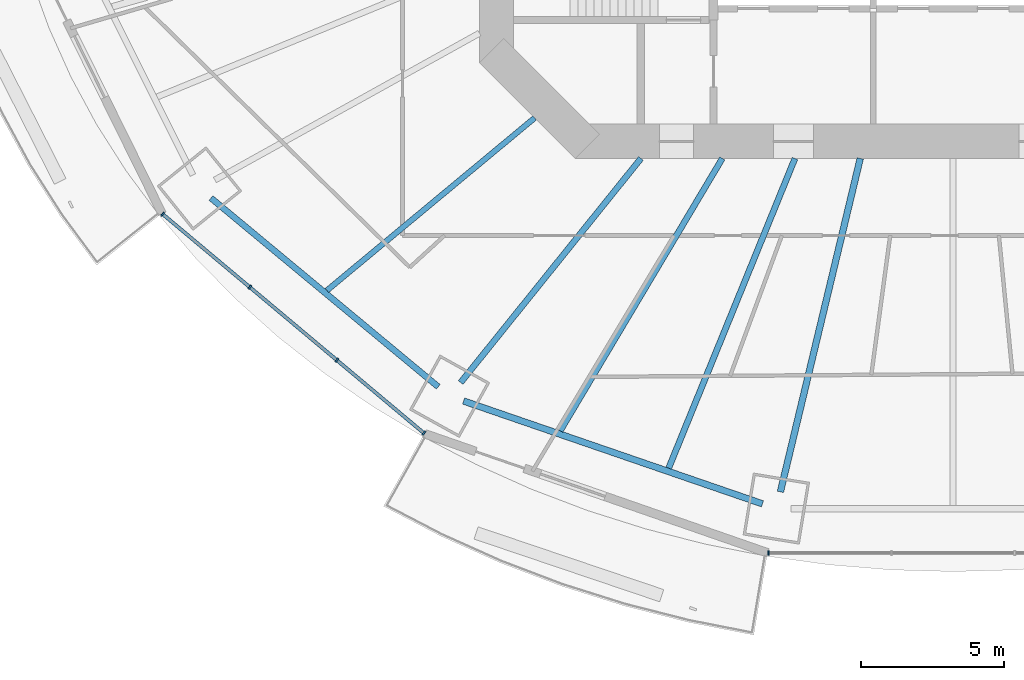
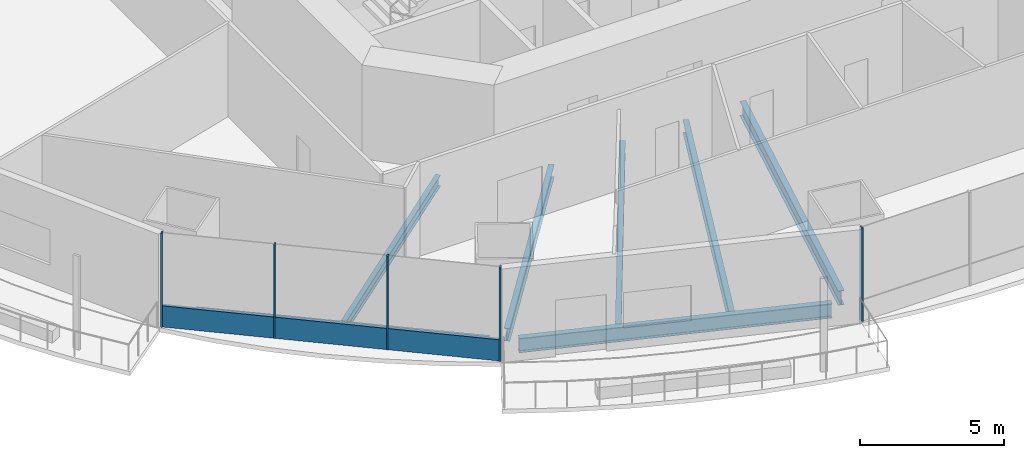
# One storey, part 2 of 20: 7 beams, 6 members, 2 elements without a shape of their own.
"""IFC4 building model written with IfcOpenShell, lengths in metres."""

import ifcopenshell
import ifcopenshell.guid

model = None  # the IFC model being written
_history = None  # IfcOwnerHistory: only IFC2X3 demands one
_inside = {}  # id of a spatial element -> (the spatial element, [elements in it])
_under = {}  # id of a project, library or spatial element -> (it, [spatial elements below it])
_declared = {}  # id of a project -> (the project, [libraries it declares])
_typed = {}  # id of a type object -> (the type object, [elements of that type])
_made_of = {}  # id of a material, layer set ... -> (it, [elements and type objects made of it])


def new_model(schema):
    """Start an empty IFC model of exactly this schema.

    Asked for "IFC4X3", IfcOpenShell would pick the latest addendum, in which some entities
    have other attributes; the version numbers below select the first issue.
    IFC2X3 requires an IfcOwnerHistory on every rooted entity: one is made here for all.
    """
    global model, _history
    if schema == "IFC4X3":
        model = ifcopenshell.file(schema_version=(4, 3, 0, 0))
    else:
        model = ifcopenshell.file(schema=schema)
    _inside.clear()
    _under.clear()
    _declared.clear()
    _typed.clear()
    _made_of.clear()
    _history = None
    if model.schema == "IFC2X3":
        org = make("IfcOrganization", Name="unknown")
        user = make(
            "IfcPersonAndOrganization",
            ThePerson=make("IfcPerson", FamilyName="unknown"),
            TheOrganization=org,
        )
        app = make(
            "IfcApplication",
            ApplicationDeveloper=org,
            Version="unknown",
            ApplicationFullName="unknown",
            ApplicationIdentifier="unknown",
        )
        _history = make(
            "IfcOwnerHistory",
            OwningUser=user,
            OwningApplication=app,
            ChangeAction="ADDED",
            CreationDate=0,
        )
    return model


def make(cls, **values):
    """One entity of the class cls with the attributes given. An attribute that is None is left unset."""
    return model.create_entity(
        cls, **{name: value for name, value in values.items() if value is not None}
    )


def rooted(cls, **values):
    """An entity with a GlobalId (a new one), such as an element, a storey or a relation."""
    return make(cls, GlobalId=ifcopenshell.guid.new(), OwnerHistory=_history, **values)


def si_unit(unit_type, name, prefix=None):
    """IfcSIUnit, for example si_unit("LENGTHUNIT", "METRE", prefix="MILLI")."""
    return make("IfcSIUnit", UnitType=unit_type, Prefix=prefix, Name=name)


def assignment(units):
    """IfcUnitAssignment: the units of a project."""
    return None if units is None else make("IfcUnitAssignment", Units=units)


def point(xyz):
    """IfcCartesianPoint."""
    return None if xyz is None else make("IfcCartesianPoint", Coordinates=xyz)


def direction(xyz):
    """IfcDirection."""
    return None if xyz is None else make("IfcDirection", DirectionRatios=xyz)


def frame(location, z_axis=None, x_axis=None):
    """IfcAxis2Placement3D, a coordinate frame: its origin and axes. An axis left out is left unset."""
    return make(
        "IfcAxis2Placement3D",
        Location=point(location),
        Axis=direction(z_axis),
        RefDirection=direction(x_axis),
    )


def frame_2d(location, x_axis=None):
    """IfcAxis2Placement2D, a coordinate frame in the plane: its origin and x axis."""
    return make(
        "IfcAxis2Placement2D", Location=point(location), RefDirection=direction(x_axis)
    )


def origin():
    """The frame at (0, 0, 0) with its axes left unset."""
    return frame((0.0, 0.0, 0.0))


def origin_2d():
    """The frame at (0, 0) in the plane with its x axis left unset."""
    return frame_2d((0.0, 0.0))


def place(relative_to, where):
    """IfcLocalPlacement: puts the frame where relative to a parent placement (None: the world)."""
    return make(
        "IfcLocalPlacement", PlacementRelTo=relative_to, RelativePlacement=where
    )


def context(
    kind, dimensions, precision=None, world=None, true_north=None, identifier=None
):
    """IfcGeometricRepresentationContext, for example the 3D "Model" context."""
    return make(
        "IfcGeometricRepresentationContext",
        ContextIdentifier=identifier,
        ContextType=kind,
        CoordinateSpaceDimension=dimensions,
        Precision=precision,
        WorldCoordinateSystem=world,
        TrueNorth=true_north,
    )


def subcontext(parent, identifier, kind, view, scale=None):
    """IfcGeometricRepresentationSubContext, for example "Body" below "Model"."""
    return make(
        "IfcGeometricRepresentationSubContext",
        ContextIdentifier=identifier,
        ContextType=kind,
        ParentContext=parent,
        TargetScale=scale,
        TargetView=view,
    )


def project(units=None, contexts=None):
    """IfcProject with its units and contexts."""
    return rooted(
        "IfcProject",
        Name="project",
        RepresentationContexts=contexts,
        UnitsInContext=assignment(units),
    )


def spatial(cls, under=None, at=None, **own):
    """A site, building, storey or space (cls), placed at a placement, below another one or the project."""
    s = rooted(cls, ObjectPlacement=at, **own)
    if under is not None:
        _under.setdefault(under.id(), (under, []))[1].append(s)
    return s


def profile(cls, at=None, kind="AREA", **sizes):
    """A parametric profile (cls). Its sizes go by their IFC names, for example OverallWidth=200.0."""
    return make(cls, ProfileType=kind, Position=at, **sizes)


def rectangle(**sizes):
    """IfcRectangleProfileDef."""
    return profile("IfcRectangleProfileDef", **sizes)


def i_section(**sizes):
    """IfcIShapeProfileDef."""
    return profile("IfcIShapeProfileDef", **sizes)


def extrude(swept, where, along, depth):
    """IfcExtrudedAreaSolid: the profile swept, set in the frame where, extruded along a direction by depth."""
    return make(
        "IfcExtrudedAreaSolid",
        SweptArea=swept,
        Position=where,
        ExtrudedDirection=direction(along),
        Depth=depth,
    )


def shape(context_of_items, identifier, shape_type, items):
    """IfcShapeRepresentation: the items that make up one representation, for example the "Body"."""
    return make(
        "IfcShapeRepresentation",
        ContextOfItems=context_of_items,
        RepresentationIdentifier=identifier,
        RepresentationType=shape_type,
        Items=items,
    )


def material(Name=None, Category=None):
    """IfcMaterial."""
    return make("IfcMaterial", Name=Name, Category=Category)


def material_profile(
    of_material, cross_section, Name=None, Category=None, Priority=None
):
    """IfcMaterialProfile: a cross section and its material."""
    return make(
        "IfcMaterialProfile",
        Name=Name,
        Material=of_material,
        Profile=cross_section,
        Priority=Priority,
        Category=Category,
    )


def profile_set(profiles, Name=None, composite=None):
    """IfcMaterialProfileSet."""
    return make(
        "IfcMaterialProfileSet",
        Name=Name,
        MaterialProfiles=profiles,
        CompositeProfile=composite,
    )


def made_of(thing, what):
    """Note that an element or type object is made of a material, layer set ...; save() writes the relation."""
    if what is not None:
        _made_of.setdefault(what.id(), (what, []))[1].append(thing)
    return thing


def type_object(cls, material=None, **own):
    """A type object (cls), such as IfcWallType, which elements share."""
    return made_of(rooted(cls, **own), material)


def element(
    cls,
    number,
    at=None,
    inside=None,
    cuts=None,
    type_object=None,
    material=None,
    context=None,
    identifier="Body",
    shape_type=None,
    held_by="IfcProductDefinitionShape",
    body=None,
    shapes=None,
    **own,
):
    """One element of the class cls, such as IfcWall. Its Tag is "e" and its number.

    at: its placement. inside: the storey or other place that contains it. cuts: it is an
    opening in that element (IfcRelVoidsElement). A single representation is given by context,
    identifier, shape_type and body (its items); several are given by shapes. held_by: the class
    of the entity that holds the representations. save() writes the other relations.
    """
    e = rooted(cls, Tag="e%d" % number, ObjectPlacement=at, **own)
    if body is not None:
        shapes = [shape(context, identifier, shape_type, body)]
    if shapes is not None:
        e.Representation = make(held_by, Representations=shapes)
    if inside is not None:
        _inside.setdefault(inside.id(), (inside, []))[1].append(e)
    if cuts is not None:
        rooted(
            "IfcRelVoidsElement", RelatingBuildingElement=cuts, RelatedOpeningElement=e
        )
    if type_object is not None:
        _typed.setdefault(type_object.id(), (type_object, []))[1].append(e)
    return made_of(e, material)


def aggregate(whole, parts):
    """IfcRelAggregates: a whole, such as a stair, and the parts it consists of."""
    return rooted("IfcRelAggregates", RelatingObject=whole, RelatedObjects=parts)


def save(model, path):
    """Write the relations noted so far, then the file.

    IfcRelAggregates (storeys below a building ...), IfcRelContainedInSpatialStructure (elements
    in a storey), IfcRelDefinesByType, IfcRelAssociatesMaterial and IfcRelDeclares: one each for
    every whole, place, type object, material and project.
    """
    for whole, parts in _under.values():
        aggregate(whole, parts)
    for where, things in _inside.values():
        rooted(
            "IfcRelContainedInSpatialStructure",
            RelatedElements=things,
            RelatingStructure=where,
        )
    for kind, things in _typed.values():
        rooted("IfcRelDefinesByType", RelatedObjects=things, RelatingType=kind)
    for what, things in _made_of.values():
        rooted("IfcRelAssociatesMaterial", RelatedObjects=things, RelatingMaterial=what)
    for by, libraries in _declared.values():
        rooted("IfcRelDeclares", RelatingContext=by, RelatedDefinitions=libraries)
    model.write(path)


model = new_model("IFC4")

# Units and contexts
model_context = context("Model", 3, precision=1e-05, world=origin(), true_north=direction((0.0, 1.0)))
body_context = subcontext(model_context, "Body", "Model", "MODEL_VIEW")
ifc_project = project(units=[si_unit("LENGTHUNIT", "METRE"), si_unit("AREAUNIT", "SQUARE_METRE"), si_unit("VOLUMEUNIT", "CUBIC_METRE"), si_unit("PLANEANGLEUNIT", "RADIAN"), si_unit("MASSUNIT", "GRAM", prefix="KILO")], contexts=[model_context])

# Site, building, storey
site_placement = place(None, origin())
site = spatial("IfcSite", under=ifc_project, at=site_placement, CompositionType="ELEMENT")
building_placement = place(site_placement, origin())
building = spatial("IfcBuilding", under=site, at=building_placement, Name="Marenthal Gate Tower", CompositionType="ELEMENT")
storey_placement = place(building_placement, frame((0.0, 0.0, 136.75)))
storey = spatial("IfcBuildingStorey", under=building, at=storey_placement, Name="L29", CompositionType="ELEMENT", Elevation=136.75)

# Curtain wall, members
ifc_material_1 = material(Name="Aluminium and glass", Category="aluminium")
curtain_wall_type = type_object("IfcCurtainWallType", Name="Curtain wall typical low", PredefinedType="NOTDEFINED", material=ifc_material_1)
curtain_wall_1_placement = place(storey_placement, origin())
curtain_wall_1 = element("IfcCurtainWall", 1, at=curtain_wall_1_placement, inside=storey, type_object=curtain_wall_type, Name="Curtain wall L29 bay 10", PredefinedType="NOTDEFINED")
ifc_material_2 = material(Name="Aluminium", Category="aluminium")
ifc_material_profile_1 = material_profile(ifc_material_2, rectangle(XDim=0.159912109375, YDim=0.06005859375, at=origin_2d()), Name="60x160 aluminium mullion")
ifc_profile_set_1 = profile_set([ifc_material_profile_1], Name="Aluminium")
member_type_1 = type_object("IfcMemberType", Name="Mullion 60x160 typical low", PredefinedType="MULLION", material=ifc_profile_set_1)
member_1_placement = place(storey_placement, frame((-27.699951171875, -15.55126953125, 0.0), z_axis=(0.0, 0.0, 1.0), x_axis=(0.642510826857, 0.766276606305, 0.0)))
member_1 = element("IfcMember", 2, at=member_1_placement, type_object=member_type_1, Name="Mullion L29 bay 10.1", PredefinedType="MULLION", context=body_context, shape_type="SweptSolid", body=[
    extrude(rectangle(XDim=0.159912109375, YDim=0.06005859375, at=origin_2d()), origin(), (0.0, 0.0, 1.0), 3.969970703125),
])
member_2_placement = place(storey_placement, frame((-24.64892578125, -18.109619140625, 0.0), z_axis=(0.0, 0.0, 1.0), x_axis=(0.642510826857, 0.766276606305, 0.0)))
member_2 = element("IfcMember", 3, at=member_2_placement, type_object=member_type_1, Name="Mullion L29 bay 10.2", PredefinedType="MULLION", context=body_context, shape_type="SweptSolid", body=[
    extrude(rectangle(XDim=0.159912109375, YDim=0.06005859375, at=origin_2d()), origin(), (0.0, 0.0, 1.0), 3.969970703125),
])
member_3_placement = place(storey_placement, frame((-21.597900390625, -20.66796875, 0.0), z_axis=(0.0, 0.0, 1.0), x_axis=(0.642510826857, 0.766276606305, 0.0)))
member_3 = element("IfcMember", 4, at=member_3_placement, type_object=member_type_1, Name="Mullion L29 bay 10.3", PredefinedType="MULLION", context=body_context, shape_type="SweptSolid", body=[
    extrude(rectangle(XDim=0.159912109375, YDim=0.06005859375, at=origin_2d()), origin(), (0.0, 0.0, 1.0), 3.969970703125),
])
member_4_placement = place(storey_placement, frame((-18.546875, -23.22607421875, 0.0), z_axis=(0.0, 0.0, 1.0), x_axis=(0.642510826857, 0.766276606305, 0.0)))
member_4 = element("IfcMember", 5, at=member_4_placement, type_object=member_type_1, Name="Mullion L29 bay 10.4", PredefinedType="MULLION", context=body_context, shape_type="SweptSolid", body=[
    extrude(rectangle(XDim=0.159912109375, YDim=0.06005859375, at=origin_2d()), origin(), (0.0, 0.0, 1.0), 3.969970703125),
])

# Curtain wall, member
curtain_wall_2_placement = place(storey_placement, origin())
curtain_wall_2 = element("IfcCurtainWall", 6, at=curtain_wall_2_placement, inside=storey, type_object=curtain_wall_type, Name="Curtain wall L29 bay 12", PredefinedType="NOTDEFINED")
member_5_placement = place(storey_placement, frame((-6.474609375, -27.419921875, 0.0), z_axis=(0.0, 0.0, 1.0), x_axis=(0.0, 1.0, 0.0)))
member_5 = element("IfcMember", 7, at=member_5_placement, type_object=member_type_1, Name="Mullion L29 bay 12.1", PredefinedType="MULLION", context=body_context, shape_type="SweptSolid", body=[
    extrude(rectangle(XDim=0.159912109375, YDim=0.06005859375, at=origin_2d()), origin(), (0.0, 0.0, 1.0), 3.969970703125),
])
aggregate(curtain_wall_2, [member_5])

# Member
ifc_material_3 = material(Name="Aluminium", Category="aluminium")
ifc_material_profile_2 = material_profile(ifc_material_3, rectangle(XDim=0.1201171875, YDim=0.89990234375, at=origin_2d()), Name="120x900 aluminium transom")
ifc_profile_set_2 = profile_set([ifc_material_profile_2], Name="Aluminium")
member_type_2 = type_object("IfcMemberType", Name="Transom 120x900 typical low", PredefinedType="USERDEFINED", material=ifc_profile_set_2)
member_6_placement = place(storey_placement, frame((-27.677001953125, -15.570556640625, 0.449951171875), z_axis=(0.76627636454, -0.642511115194, 0.0), x_axis=(0.642511115194, 0.76627636454, 0.0)))
member_6 = element("IfcMember", 8, at=member_6_placement, type_object=member_type_2, Name="Transom L29 bay 10", ObjectType="TRANSOM", PredefinedType="USERDEFINED", context=body_context, shape_type="SweptSolid", body=[
    extrude(rectangle(XDim=0.1201171875, YDim=0.89990234375, at=origin_2d()), origin(), (0.0, 0.0, 1.0), 11.885009765625),
])

aggregate(curtain_wall_1, [member_1, member_2, member_3, member_4, member_6])

# Beams
ifc_material_4 = material(Name="Steel S355", Category="steel")
ifc_material_profile_3 = material_profile(ifc_material_4, i_section(OverallWidth=0.193115234375, OverallDepth=0.467041015625, WebThickness=0.011474609375, FlangeThickness=0.01904296875, FilletRadius=0.010009765625, at=origin_2d()), Name="W460X97")
ifc_profile_set_3 = profile_set([ifc_material_profile_3], Name="Steel S355")
beam_type_1 = type_object("IfcBeamType", Name="W460X97 beam", PredefinedType="BEAM", material=ifc_profile_set_3)
beam_1_placement = place(storey_placement, frame((-21.944580078125, -18.22412109375, -0.41357421875), z_axis=(0.769313903272, 0.638870971506, 0.0), x_axis=(-0.638870971506, 0.769313903272, 0.0)))
element("IfcBeam", 9, at=beam_1_placement, inside=storey, type_object=beam_type_1, Name="BM-L29-31", PredefinedType="BEAM", context=body_context, shape_type="SweptSolid", body=[
    extrude(i_section(OverallWidth=0.193115234375, OverallDepth=0.467041015625, WebThickness=0.011474609375, FlangeThickness=0.01904296875, FilletRadius=0.010009765625, at=origin_2d()), origin(), (0.0, 0.0, 1.0), 9.459228515625),
])
ifc_material_5 = material(Name="Steel S355", Category="steel")
ifc_material_profile_4 = material_profile(ifc_material_5, i_section(OverallWidth=0.2099609375, OverallDepth=0.535888671875, WebThickness=0.010986328125, FlangeThickness=0.017333984375, FilletRadius=0.0126953125, at=origin_2d()), Name="W530X101")
ifc_profile_set_4 = profile_set([ifc_material_profile_4], Name="Steel S355")
beam_type_2 = type_object("IfcBeamType", Name="W530X101 beam", PredefinedType="BEAM", material=ifc_profile_set_4)
beam_2_placement = place(storey_placement, frame((-13.769775390625, -23.14404296875, -0.447998046875), z_axis=(0.511320752803, 0.859389950926, 0.0), x_axis=(-0.859389950926, 0.511320752803, 0.0)))
element("IfcBeam", 10, at=beam_2_placement, inside=storey, type_object=beam_type_2, Name="BM-L29-32", PredefinedType="BEAM", context=body_context, shape_type="SweptSolid", body=[
    extrude(i_section(OverallWidth=0.2099609375, OverallDepth=0.535888671875, WebThickness=0.010986328125, FlangeThickness=0.017333984375, FilletRadius=0.0126953125, at=origin_2d()), origin(), (0.0, 0.0, 1.0), 11.10546875),
])
ifc_material_6 = material(Name="Steel S355", Category="steel")
ifc_material_profile_5 = material_profile(ifc_material_6, i_section(OverallWidth=0.2119140625, OverallDepth=0.5439453125, WebThickness=0.01318359375, FlangeThickness=0.021240234375, FilletRadius=0.0126953125, at=origin_2d()), Name="W530X123")
ifc_profile_set_5 = profile_set([ifc_material_profile_5], Name="Steel S355")
beam_type_3 = type_object("IfcBeamType", Name="W530X123 beam", PredefinedType="BEAM", material=ifc_profile_set_5)
beam_3_placement = place(storey_placement, frame((-17.259521484375, -21.45166015625, -0.451904296875), z_axis=(0.6268641657, 0.77912856305, 0.0), x_axis=(-0.77912856305, 0.6268641657, 0.0)))
element("IfcBeam", 11, at=beam_3_placement, inside=storey, type_object=beam_type_3, Name="BM-L29-11", PredefinedType="BEAM", context=body_context, shape_type="SweptSolid", body=[
    extrude(i_section(OverallWidth=0.2119140625, OverallDepth=0.5439453125, WebThickness=0.01318359375, FlangeThickness=0.021240234375, FilletRadius=0.0126953125, at=origin_2d()), origin(), (0.0, 0.0, 1.0), 10.077392578125),
])
beam_4_placement = place(storey_placement, frame((-9.9697265625, -24.451171875, -0.451904296875), z_axis=(0.377553645664, 0.92598771301, 0.0), x_axis=(-0.92598771301, 0.377553645664, 0.0)))
element("IfcBeam", 12, at=beam_4_placement, inside=storey, type_object=beam_type_3, Name="BM-L29-33", PredefinedType="BEAM", context=body_context, shape_type="SweptSolid", body=[
    extrude(i_section(OverallWidth=0.2119140625, OverallDepth=0.5439453125, WebThickness=0.01318359375, FlangeThickness=0.021240234375, FilletRadius=0.0126953125, at=origin_2d()), origin(), (0.0, 0.0, 1.0), 11.71826171875),
])
beam_5_placement = place(storey_placement, frame((-26.0087890625, -14.98681640625, -0.451904296875), z_axis=(0.769308410826, -0.638877585326, 0.0), x_axis=(0.638877585326, 0.769308410826, 0.0)))
element("IfcBeam", 13, at=beam_5_placement, inside=storey, type_object=beam_type_3, Name="BM-L29-50", PredefinedType="BEAM", context=body_context, shape_type="SweptSolid", body=[
    extrude(i_section(OverallWidth=0.2119140625, OverallDepth=0.5439453125, WebThickness=0.01318359375, FlangeThickness=0.021240234375, FilletRadius=0.0126953125, at=origin_2d()), origin(), (0.0, 0.0, 1.0), 10.35302734375),
])
ifc_material_7 = material(Name="Steel S355", Category="steel")
ifc_material_profile_6 = material_profile(ifc_material_7, i_section(OverallWidth=0.22900390625, OverallDepth=0.612060546875, WebThickness=0.011962890625, FlangeThickness=0.01953125, FilletRadius=0.0126953125, at=origin_2d()), Name="W610X125")
ifc_profile_set_6 = profile_set([ifc_material_profile_6], Name="Steel S355")
beam_type_4 = type_object("IfcBeamType", Name="W610X125 beam", PredefinedType="BEAM", material=ifc_profile_set_6)
beam_6_placement = place(storey_placement, frame((-6.05615234375, -25.283935546875, -0.486083984375), z_axis=(0.232937154271, 0.972491790279, 0.0), x_axis=(-0.972491790279, 0.232937154271, 0.0)))
element("IfcBeam", 14, at=beam_6_placement, inside=storey, type_object=beam_type_4, Name="BM-L29-12", PredefinedType="BEAM", context=body_context, shape_type="SweptSolid", body=[
    extrude(i_section(OverallWidth=0.22900390625, OverallDepth=0.612060546875, WebThickness=0.011962890625, FlangeThickness=0.01953125, FilletRadius=0.0126953125, at=origin_2d()), origin(), (0.0, 0.0, 1.0), 12.014404296875),
])
beam_7_placement = place(storey_placement, frame((-17.158447265625, -22.099365234375, -0.486083984375), z_axis=(0.945616285836, -0.325284244871, 0.0), x_axis=(0.325284244871, 0.945616285836, 0.0)))
element("IfcBeam", 15, at=beam_7_placement, inside=storey, type_object=beam_type_4, Name="BM-L29-51", PredefinedType="BEAM", context=body_context, shape_type="SweptSolid", body=[
    extrude(i_section(OverallWidth=0.22900390625, OverallDepth=0.612060546875, WebThickness=0.011962890625, FlangeThickness=0.01953125, FilletRadius=0.0126953125, at=origin_2d()), origin(), (0.0, 0.0, 1.0), 11.078125),
])

save(model, "model.ifc")
